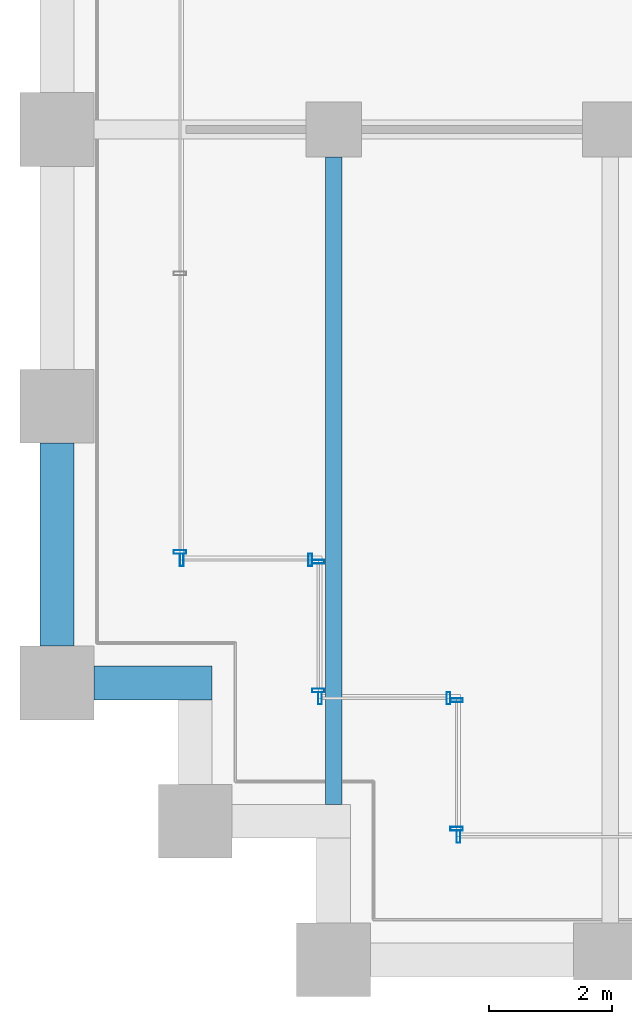
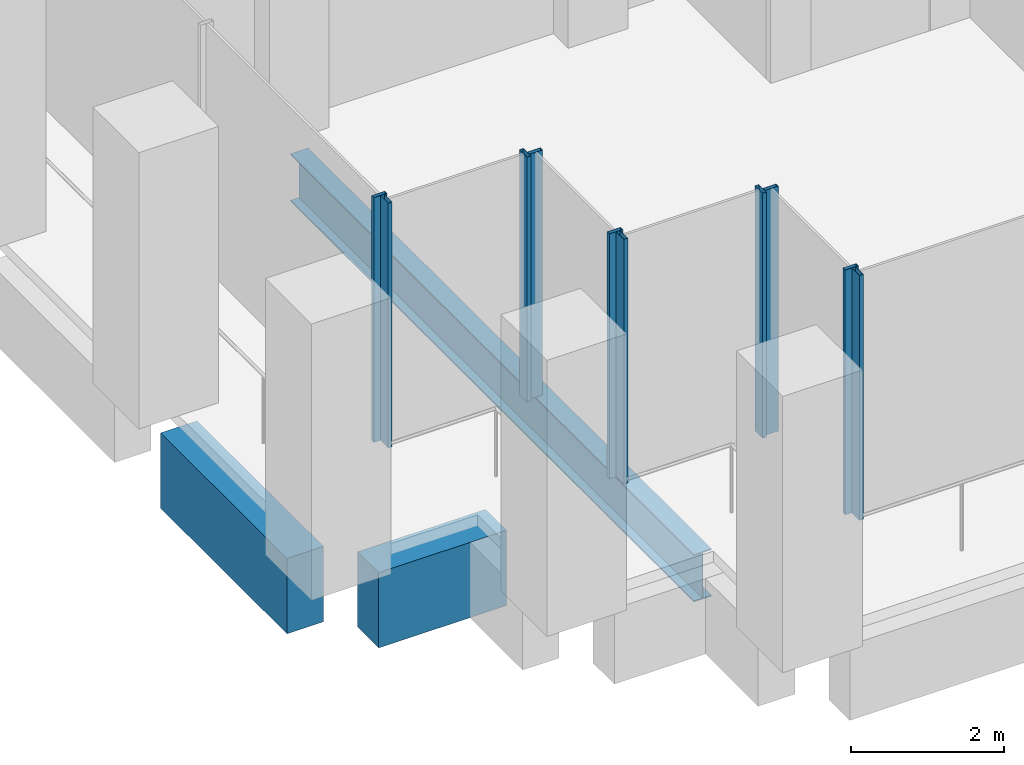
# One storey, part 2 of 36: 10 members, 3 beams, 6 elements without a shape of their own.
"""IFC4 building model written with IfcOpenShell, lengths in metres."""

from ifc_helpers import new_model, si_unit, direction, frame, origin, origin_2d, place, context, subcontext, project, spatial, rectangle, hollow_rectangle, i_section, extrude, material, material_profile, profile_set, type_object, element, aggregate, save


model = new_model("IFC4")

# Units and contexts
model_context = context("Model", 3, precision=1e-05, world=origin(), true_north=direction((0.0, 1.0)))
body_context = subcontext(model_context, "Body", "Model", "MODEL_VIEW")
ifc_project = project(units=[si_unit("LENGTHUNIT", "METRE"), si_unit("AREAUNIT", "SQUARE_METRE"), si_unit("VOLUMEUNIT", "CUBIC_METRE"), si_unit("PLANEANGLEUNIT", "RADIAN"), si_unit("MASSUNIT", "GRAM", prefix="KILO")], contexts=[model_context])

# Site, building, storey
site_placement = place(None, origin())
site = spatial("IfcSite", under=ifc_project, at=site_placement, CompositionType="ELEMENT")
building_placement = place(site_placement, origin())
building = spatial("IfcBuilding", under=site, at=building_placement, Name="Altepetl Exchange Towers", CompositionType="ELEMENT")
storey_placement = place(building_placement, frame((0.0, 0.0, 29.800048828125)))
storey = spatial("IfcBuildingStorey", under=building, at=storey_placement, Name="L06", CompositionType="ELEMENT", Elevation=29.800048828125)

# Beam
ifc_material_1 = material(Name="Steel S355", Category="steel")
ifc_material_profile_1 = material_profile(ifc_material_1, i_section(OverallWidth=0.26611328125, OverallDepth=0.758056640625, WebThickness=0.013916015625, FlangeThickness=0.019287109375, at=origin_2d()), Name="W30X108")
ifc_profile_set_1 = profile_set([ifc_material_profile_1], Name="Steel S355")
beam_type_1 = type_object("IfcBeamType", Name="Floor beam W30X108", PredefinedType="BEAM", material=ifc_profile_set_1)
beam_1_placement = place(storey_placement, frame((31.5, 29.52490234375, -0.553955078125), z_axis=(0.0, 1.0, 0.0), x_axis=(-1.0, 0.0, 0.0)))
element("IfcBeam", 1, at=beam_1_placement, inside=storey, type_object=beam_type_1, Name="bm:A:L06:012", PredefinedType="BEAM", context=body_context, shape_type="SweptSolid", body=[
    extrude(i_section(OverallWidth=0.26611328125, OverallDepth=0.758056640625, WebThickness=0.013916015625, FlangeThickness=0.019287109375, at=origin_2d()), origin(), (0.0, 0.0, 1.0), 10.525146484375),
])

# Curtain wall, member
ifc_material_2 = material(Name="Aluminium 6063-T6 glazing", Category="aluminium")
curtain_wall_type = type_object("IfcCurtainWallType", Name="Trading floor glazing system", PredefinedType="NOTDEFINED", material=ifc_material_2)
curtain_wall_1_placement = place(storey_placement, origin())
curtain_wall_1 = element("IfcCurtainWall", 2, at=curtain_wall_1_placement, inside=storey, type_object=curtain_wall_type, Name="CW2 run", PredefinedType="NOTDEFINED")
ifc_material_3 = material(Name="Aluminium 6063-T6", Category="aluminium")
ifc_material_profile_2 = material_profile(ifc_material_3, hollow_rectangle(XDim=0.06005859375, YDim=0.199951171875, WallThickness=0.0029296875, at=origin_2d()), Name="Mullion 60x200 aluminium")
ifc_profile_set_2 = profile_set([ifc_material_profile_2], Name="Aluminium 6063-T6")
member_type = type_object("IfcMemberType", Name="Mullion 60x200 aluminium", PredefinedType="MULLION", material=ifc_profile_set_2)
member_1_placement = place(storey_placement, frame((29.0, 33.6298828125, 0.0), z_axis=(0.0, 0.0, 1.0), x_axis=(0.0, -1.0, 0.0)))
member_1 = element("IfcMember", 3, at=member_1_placement, type_object=member_type, Name="MU2 mullion", PredefinedType="MULLION", context=body_context, shape_type="SweptSolid", body=[
    extrude(hollow_rectangle(XDim=0.06005859375, YDim=0.199951171875, WallThickness=0.0029296875, at=origin_2d()), origin(), (0.0, 0.0, 1.0), 3.89990234375),
])
aggregate(curtain_wall_1, [member_1])

# Curtain wall, members
curtain_wall_2_placement = place(storey_placement, origin())
curtain_wall_2 = element("IfcCurtainWall", 4, at=curtain_wall_2_placement, inside=storey, type_object=curtain_wall_type, Name="CW2 run", PredefinedType="NOTDEFINED")
member_2_placement = place(storey_placement, frame((29.030029296875, 33.5, 0.0)))
member_2 = element("IfcMember", 5, at=member_2_placement, type_object=member_type, Name="MU2 mullion", PredefinedType="MULLION", context=body_context, shape_type="SweptSolid", body=[
    extrude(hollow_rectangle(XDim=0.06005859375, YDim=0.199951171875, WallThickness=0.0029296875, at=origin_2d()), origin(), (0.0, 0.0, 1.0), 3.89990234375),
])
member_3_placement = place(storey_placement, frame((31.1201171875, 33.5, 0.0)))
member_3 = element("IfcMember", 6, at=member_3_placement, type_object=member_type, Name="MU2 mullion", PredefinedType="MULLION", context=body_context, shape_type="SweptSolid", body=[
    extrude(hollow_rectangle(XDim=0.06005859375, YDim=0.199951171875, WallThickness=0.0029296875, at=origin_2d()), origin(), (0.0, 0.0, 1.0), 3.89990234375),
])
aggregate(curtain_wall_2, [member_2, member_3])

curtain_wall_3_placement = place(storey_placement, origin())
curtain_wall_3 = element("IfcCurtainWall", 7, at=curtain_wall_3_placement, inside=storey, type_object=curtain_wall_type, Name="CW2 run", PredefinedType="NOTDEFINED")
member_4_placement = place(storey_placement, frame((31.25, 33.469970703125, 0.0), z_axis=(0.0, 0.0, 1.0), x_axis=(0.0, -1.0, 0.0)))
member_4 = element("IfcMember", 8, at=member_4_placement, type_object=member_type, Name="MU2 mullion", PredefinedType="MULLION", context=body_context, shape_type="SweptSolid", body=[
    extrude(hollow_rectangle(XDim=0.06005859375, YDim=0.199951171875, WallThickness=0.0029296875, at=origin_2d()), origin(), (0.0, 0.0, 1.0), 3.89990234375),
])
member_5_placement = place(storey_placement, frame((31.25, 31.3798828125, 0.0), z_axis=(0.0, 0.0, 1.0), x_axis=(0.0, -1.0, 0.0)))
member_5 = element("IfcMember", 9, at=member_5_placement, type_object=member_type, Name="MU2 mullion", PredefinedType="MULLION", context=body_context, shape_type="SweptSolid", body=[
    extrude(hollow_rectangle(XDim=0.06005859375, YDim=0.199951171875, WallThickness=0.0029296875, at=origin_2d()), origin(), (0.0, 0.0, 1.0), 3.89990234375),
])
aggregate(curtain_wall_3, [member_4, member_5])

curtain_wall_4_placement = place(storey_placement, origin())
curtain_wall_4 = element("IfcCurtainWall", 10, at=curtain_wall_4_placement, inside=storey, type_object=curtain_wall_type, Name="CW2 run", PredefinedType="NOTDEFINED")
member_6_placement = place(storey_placement, frame((31.280029296875, 31.25, 0.0)))
member_6 = element("IfcMember", 11, at=member_6_placement, type_object=member_type, Name="MU2 mullion", PredefinedType="MULLION", context=body_context, shape_type="SweptSolid", body=[
    extrude(hollow_rectangle(XDim=0.06005859375, YDim=0.199951171875, WallThickness=0.0029296875, at=origin_2d()), origin(), (0.0, 0.0, 1.0), 3.89990234375),
])
member_7_placement = place(storey_placement, frame((33.3701171875, 31.25, 0.0)))
member_7 = element("IfcMember", 12, at=member_7_placement, type_object=member_type, Name="MU2 mullion", PredefinedType="MULLION", context=body_context, shape_type="SweptSolid", body=[
    extrude(hollow_rectangle(XDim=0.06005859375, YDim=0.199951171875, WallThickness=0.0029296875, at=origin_2d()), origin(), (0.0, 0.0, 1.0), 3.89990234375),
])
aggregate(curtain_wall_4, [member_6, member_7])

curtain_wall_5_placement = place(storey_placement, origin())
curtain_wall_5 = element("IfcCurtainWall", 13, at=curtain_wall_5_placement, inside=storey, type_object=curtain_wall_type, Name="CW2 run", PredefinedType="NOTDEFINED")
member_8_placement = place(storey_placement, frame((33.5, 31.219970703125, 0.0), z_axis=(0.0, 0.0, 1.0), x_axis=(0.0, -1.0, 0.0)))
member_8 = element("IfcMember", 14, at=member_8_placement, type_object=member_type, Name="MU2 mullion", PredefinedType="MULLION", context=body_context, shape_type="SweptSolid", body=[
    extrude(hollow_rectangle(XDim=0.06005859375, YDim=0.199951171875, WallThickness=0.0029296875, at=origin_2d()), origin(), (0.0, 0.0, 1.0), 3.89990234375),
])
member_9_placement = place(storey_placement, frame((33.5, 29.1298828125, 0.0), z_axis=(0.0, 0.0, 1.0), x_axis=(0.0, -1.0, 0.0)))
member_9 = element("IfcMember", 15, at=member_9_placement, type_object=member_type, Name="MU2 mullion", PredefinedType="MULLION", context=body_context, shape_type="SweptSolid", body=[
    extrude(hollow_rectangle(XDim=0.06005859375, YDim=0.199951171875, WallThickness=0.0029296875, at=origin_2d()), origin(), (0.0, 0.0, 1.0), 3.89990234375),
])
aggregate(curtain_wall_5, [member_8, member_9])

# Curtain wall, member
curtain_wall_6_placement = place(storey_placement, origin())
curtain_wall_6 = element("IfcCurtainWall", 16, at=curtain_wall_6_placement, inside=storey, type_object=curtain_wall_type, Name="CW2 run", PredefinedType="NOTDEFINED")
member_10_placement = place(storey_placement, frame((33.530029296875, 29.0, 0.0)))
member_10 = element("IfcMember", 17, at=member_10_placement, type_object=member_type, Name="MU2 mullion", PredefinedType="MULLION", context=body_context, shape_type="SweptSolid", body=[
    extrude(hollow_rectangle(XDim=0.06005859375, YDim=0.199951171875, WallThickness=0.0029296875, at=origin_2d()), origin(), (0.0, 0.0, 1.0), 3.89990234375),
])
aggregate(curtain_wall_6, [member_10])

# Beams
ifc_material_4 = material(Name="Concrete C50/60 precast with cantera blanca facing", Category="concrete")
ifc_material_profile_3 = material_profile(ifc_material_4, rectangle(XDim=0.550048828125, YDim=1.199951171875, at=origin_2d()), Name="550 x 1200")
ifc_profile_set_3 = profile_set([ifc_material_profile_3], Name="Concrete C50/60 precast with cantera blanca facing")
beam_type_2 = type_object("IfcBeamType", Name="Spandrel beam 550x1200 cantera blanca", PredefinedType="SPANDREL", material=ifc_profile_set_3)
beam_2_placement = place(storey_placement, frame((27.0, 35.39990234375, -0.775146484375), z_axis=(0.0, -1.0, 0.0), x_axis=(1.0, 0.0, 0.0)))
element("IfcBeam", 18, at=beam_2_placement, inside=storey, type_object=beam_type_2, Name="sp:A:L06:043", PredefinedType="SPANDREL", context=body_context, shape_type="SweptSolid", body=[
    extrude(rectangle(XDim=0.550048828125, YDim=1.199951171875, at=origin_2d()), origin(), (0.0, 0.0, 1.0), 3.2998046875),
])
beam_3_placement = place(storey_placement, frame((27.60009765625, 31.5, -0.775146484375), z_axis=(1.0, 0.0, 0.0), x_axis=(0.0, 1.0, 0.0)))
element("IfcBeam", 19, at=beam_3_placement, inside=storey, type_object=beam_type_2, Name="sp:A:L06:044", PredefinedType="SPANDREL", context=body_context, shape_type="SweptSolid", body=[
    extrude(rectangle(XDim=0.550048828125, YDim=1.199951171875, at=origin_2d()), origin(), (0.0, 0.0, 1.0), 1.9248046875),
])

save(model, "model.ifc")
